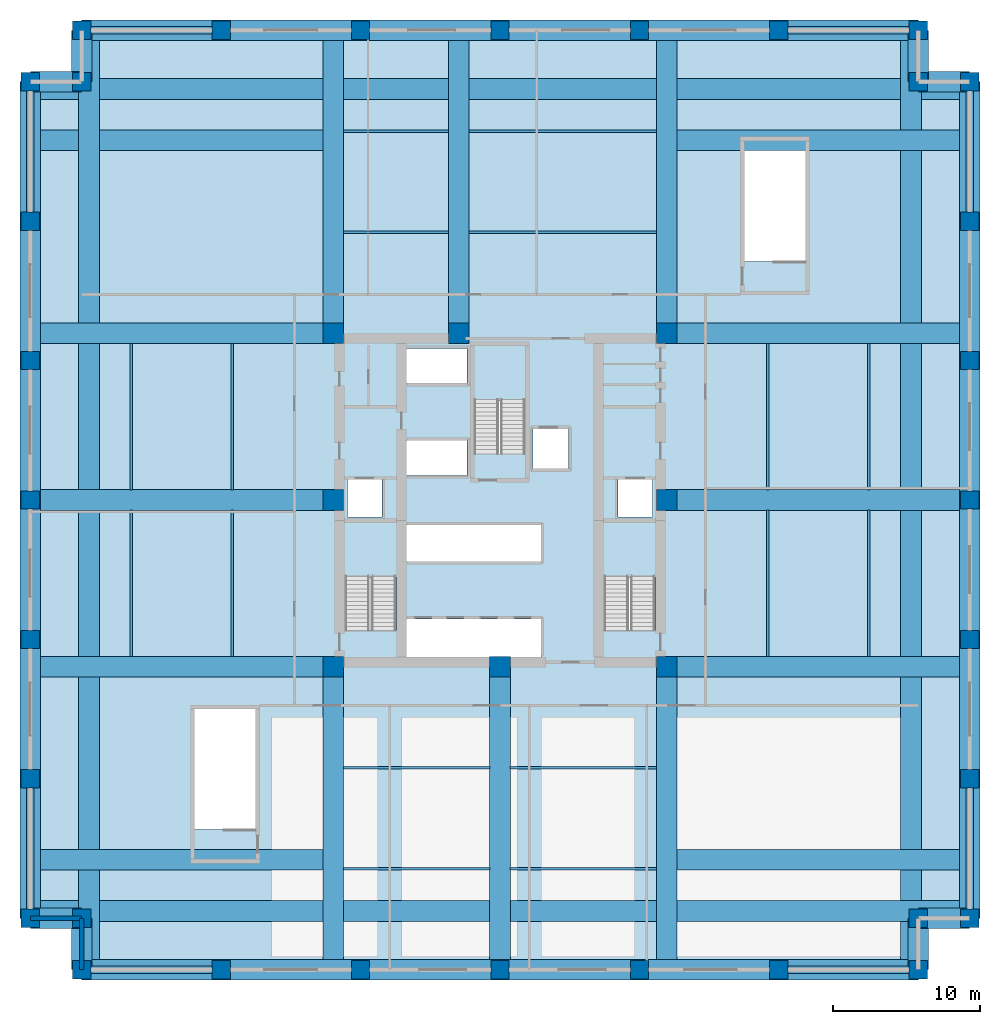
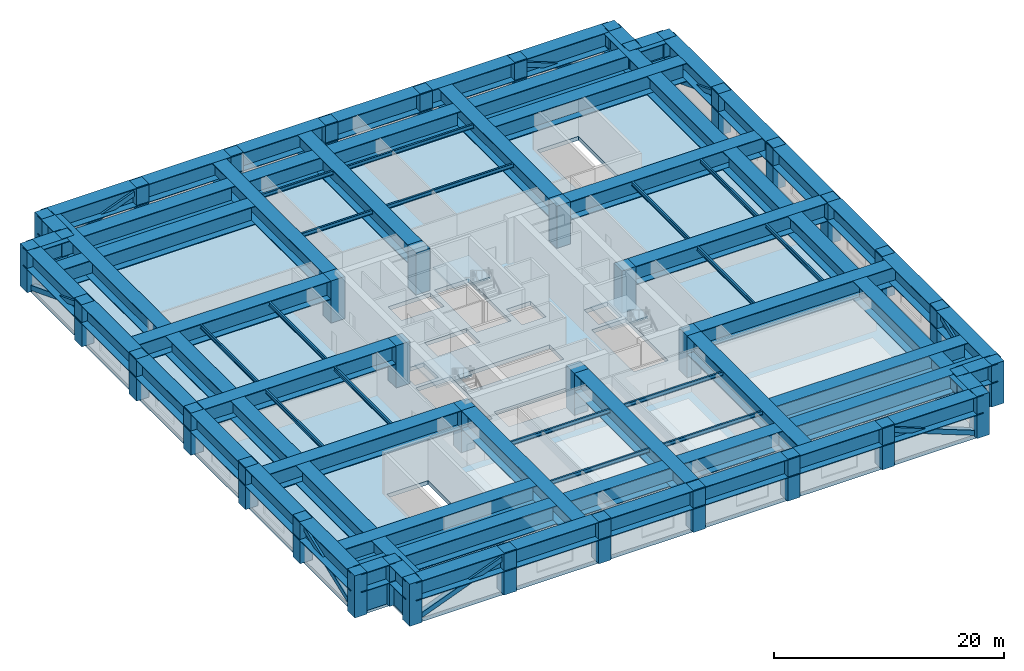
# One storey, part 1 of 8: 76 beams, 40 columns, 8 members, 4 slabs, 2 walls, 3 elements without a shape of their own.
"""IFC4 building model written with IfcOpenShell, lengths in metres."""

from ifc_helpers import new_model, si_unit, direction, frame, frame_2d, origin, origin_2d, place, context, subcontext, project, spatial, polyline, rectangle, hollow_rectangle, i_section, outline, extrude, material, layer, layer_set, material_profile, profile_set, type_object, element, aggregate, save


model = new_model("IFC4")

# Units and contexts
model_context = context("Model", 3, precision=1e-05, world=origin(), true_north=direction((0.0, 1.0)))
body_context = subcontext(model_context, "Body", "Model", "MODEL_VIEW")
ifc_project = project(units=[si_unit("LENGTHUNIT", "METRE"), si_unit("AREAUNIT", "SQUARE_METRE"), si_unit("VOLUMEUNIT", "CUBIC_METRE"), si_unit("PLANEANGLEUNIT", "RADIAN"), si_unit("MASSUNIT", "GRAM", prefix="KILO")], contexts=[model_context])

# Site, building, storey
site_placement = place(None, origin())
site = spatial("IfcSite", under=ifc_project, at=site_placement, CompositionType="ELEMENT")
building_placement = place(site_placement, origin())
building = spatial("IfcBuilding", under=site, at=building_placement, Name="Nhamokura Convention Tower", CompositionType="ELEMENT")
storey_placement = place(building_placement, frame((0.0, 0.0, 29.39990234375)))
storey = spatial("IfcBuildingStorey", under=building, at=storey_placement, Name="L05", CompositionType="ELEMENT", Elevation=29.39990234375)

# Columns
ifc_material_1 = material(Name="Concrete C70/85", Category="concrete")
ifc_material_profile_1 = material_profile(ifc_material_1, rectangle(XDim=1.39990234375, YDim=1.39990234375, at=origin_2d()))
ifc_profile_set_1 = profile_set([ifc_material_profile_1], Name="Concrete C70/85")
column_type_1 = type_object("IfcColumnType", Name="TubeColumn_B_1400", PredefinedType="COLUMN", material=ifc_profile_set_1)
for number, where, z_axis, x_axis, name in (
    (1, (20.64990234375, 20.64990234375, 0.0), (0.0, 0.0, 1.0), (1.0, 0.0, 0.0), "L05 Core Column CC-SW"),
    (2, (32.0, 20.64990234375, 0.0), (0.0, 0.0, 1.0), (1.0, 0.0, 0.0), "L05 Core Column CC-S"),
    (3, (43.35009765625, 20.64990234375, 0.0), (0.0, 0.0, 1.0), (1.0, 0.0, 0.0), "L05 Core Column CC-SE"),
    (4, (43.35009765625, 32.0, 0.0), (0.0, 0.0, 1.0), (1.0, 0.0, 0.0), "L05 Core Column CC-E"),
    (5, (43.35009765625, 43.35009765625, 0.0), (0.0, 0.0, 1.0), (1.0, 0.0, 0.0), "L05 Core Column CC-NE"),
    (6, (29.199951171875, 43.35009765625, 0.0), (0.0, 0.0, 1.0), (1.0, 0.0, 0.0), "L05 Core Column CC-N"),
    (7, (20.64990234375, 43.35009765625, 0.0), (0.0, 0.0, 1.0), (1.0, 0.0, 0.0), "L05 Core Column CC-NW"),
    (8, (20.64990234375, 32.0, 0.0), (0.0, 0.0, 1.0), (1.0, 0.0, 0.0), "L05 Core Column CC-W"),
):
    element("IfcColumn", number, at=place(storey_placement, frame(where, z_axis=z_axis, x_axis=x_axis)), inside=storey, type_object=column_type_1, Name=name, PredefinedType="COLUMN", context=body_context, shape_type="SweptSolid", body=[
        extrude(rectangle(XDim=1.39990234375, YDim=1.39990234375, at=origin_2d()), origin(), (0.0, 0.0, 1.0), 4.47998046875),
    ])
ifc_material_2 = material(Name="Concrete C70/85", Category="concrete")
ifc_material_profile_2 = material_profile(ifc_material_2, rectangle(XDim=1.25, YDim=1.25, at=origin_2d()))
ifc_profile_set_2 = profile_set([ifc_material_profile_2], Name="Concrete C70/85")
column_type_2 = type_object("IfcColumnType", Name="TubeColumn_P_1250", PredefinedType="COLUMN", material=ifc_profile_set_2)
for number, where, z_axis, x_axis, name in (
    (9, (3.5, 0.0, 0.0), (0.0, 0.0, 1.0), (1.0, 0.0, 0.0), "L05 Perimeter Tube Column SW1"),
    (10, (3.5, 3.5, 0.0), (0.0, 0.0, 1.0), (1.0, 0.0, 0.0), "L05 Perimeter Tube Column SW0"),
    (11, (0.0, 3.5, 0.0), (0.0, 0.0, 1.0), (1.0, 0.0, 0.0), "L05 Perimeter Tube Column SW2"),
    (12, (60.5, 0.0, 0.0), (0.0, 0.0, 1.0), (1.0, 0.0, 0.0), "L05 Perimeter Tube Column SE1"),
    (13, (60.5, 3.5, 0.0), (0.0, 0.0, 1.0), (1.0, 0.0, 0.0), "L05 Perimeter Tube Column SE0"),
    (14, (64.0, 3.5, 0.0), (0.0, 0.0, 1.0), (1.0, 0.0, 0.0), "L05 Perimeter Tube Column SE2"),
    (15, (64.0, 60.5, 0.0), (0.0, 0.0, 1.0), (1.0, 0.0, 0.0), "L05 Perimeter Tube Column NE1"),
    (16, (60.5, 60.5, 0.0), (0.0, 0.0, 1.0), (1.0, 0.0, 0.0), "L05 Perimeter Tube Column NE0"),
    (17, (60.5, 64.0, 0.0), (0.0, 0.0, 1.0), (1.0, 0.0, 0.0), "L05 Perimeter Tube Column NE2"),
    (18, (3.5, 64.0, 0.0), (0.0, 0.0, 1.0), (1.0, 0.0, 0.0), "L05 Perimeter Tube Column NW1"),
    (19, (3.5, 60.5, 0.0), (0.0, 0.0, 1.0), (1.0, 0.0, 0.0), "L05 Perimeter Tube Column NW0"),
    (20, (0.0, 60.5, 0.0), (0.0, 0.0, 1.0), (1.0, 0.0, 0.0), "L05 Perimeter Tube Column NW2"),
    (21, (13.0, 0.0, 0.0), (0.0, 0.0, 1.0), (1.0, 0.0, 0.0), "L05 Perimeter Tube Column S1"),
    (22, (13.0, 64.0, 0.0), (0.0, 0.0, 1.0), (1.0, 0.0, 0.0), "L05 Perimeter Tube Column N1"),
    (23, (0.0, 13.0, 0.0), (0.0, 0.0, 1.0), (1.0, 0.0, 0.0), "L05 Perimeter Tube Column W1"),
    (24, (64.0, 13.0, 0.0), (0.0, 0.0, 1.0), (1.0, 0.0, 0.0), "L05 Perimeter Tube Column E1"),
    (25, (22.5, 0.0, 0.0), (0.0, 0.0, 1.0), (1.0, 0.0, 0.0), "L05 Perimeter Tube Column S2"),
    (26, (22.5, 64.0, 0.0), (0.0, 0.0, 1.0), (1.0, 0.0, 0.0), "L05 Perimeter Tube Column N2"),
    (27, (0.0, 22.5, 0.0), (0.0, 0.0, 1.0), (1.0, 0.0, 0.0), "L05 Perimeter Tube Column W2"),
    (28, (64.0, 22.5, 0.0), (0.0, 0.0, 1.0), (1.0, 0.0, 0.0), "L05 Perimeter Tube Column E2"),
    (29, (32.0, 0.0, 0.0), (0.0, 0.0, 1.0), (1.0, 0.0, 0.0), "L05 Perimeter Tube Column S3"),
    (30, (32.0, 64.0, 0.0), (0.0, 0.0, 1.0), (1.0, 0.0, 0.0), "L05 Perimeter Tube Column N3"),
    (31, (0.0, 32.0, 0.0), (0.0, 0.0, 1.0), (1.0, 0.0, 0.0), "L05 Perimeter Tube Column W3"),
    (32, (64.0, 32.0, 0.0), (0.0, 0.0, 1.0), (1.0, 0.0, 0.0), "L05 Perimeter Tube Column E3"),
    (33, (41.5, 0.0, 0.0), (0.0, 0.0, 1.0), (1.0, 0.0, 0.0), "L05 Perimeter Tube Column S4"),
    (34, (41.5, 64.0, 0.0), (0.0, 0.0, 1.0), (1.0, 0.0, 0.0), "L05 Perimeter Tube Column N4"),
    (35, (0.0, 41.5, 0.0), (0.0, 0.0, 1.0), (1.0, 0.0, 0.0), "L05 Perimeter Tube Column W4"),
    (36, (64.0, 41.5, 0.0), (0.0, 0.0, 1.0), (1.0, 0.0, 0.0), "L05 Perimeter Tube Column E4"),
    (37, (51.0, 0.0, 0.0), (0.0, 0.0, 1.0), (1.0, 0.0, 0.0), "L05 Perimeter Tube Column S5"),
    (38, (51.0, 64.0, 0.0), (0.0, 0.0, 1.0), (1.0, 0.0, 0.0), "L05 Perimeter Tube Column N5"),
    (39, (0.0, 51.0, 0.0), (0.0, 0.0, 1.0), (1.0, 0.0, 0.0), "L05 Perimeter Tube Column W5"),
    (40, (64.0, 51.0, 0.0), (0.0, 0.0, 1.0), (1.0, 0.0, 0.0), "L05 Perimeter Tube Column E5"),
):
    element("IfcColumn", number, at=place(storey_placement, frame(where, z_axis=z_axis, x_axis=x_axis)), inside=storey, type_object=column_type_2, Name=name, PredefinedType="COLUMN", context=body_context, shape_type="SweptSolid", body=[
        extrude(rectangle(XDim=1.25, YDim=1.25, at=origin_2d()), origin(), (0.0, 0.0, 1.0), 4.47998046875),
    ])

# Beams
ifc_material_3 = material(Name="Steel ASTM A992 Gr 50", Category="steel")
ifc_material_profile_3 = material_profile(ifc_material_3, i_section(OverallWidth=0.178955078125, OverallDepth=0.409912109375, WebThickness=0.0087890625, FlangeThickness=0.014404296875, at=origin_2d()))
ifc_profile_set_3 = profile_set([ifc_material_profile_3], Name="Steel ASTM A992 Gr 50")
beam_type_1 = type_object("IfcBeamType", Name="FloorJoist_W410X67", PredefinedType="JOIST", material=ifc_profile_set_3)
for number, where, z_axis, x_axis, name in (
    (41, (21.347900390625, 6.88330078125, 4.275146484375), (1.0, 0.0, 0.0), (0.0, 1.0, 0.0), "L05 Composite Floor Joist S1A"),
    (42, (32.697998046875, 6.88330078125, 4.275146484375), (1.0, 0.0, 0.0), (0.0, 1.0, 0.0), "L05 Composite Floor Joist S1B"),
    (43, (21.347900390625, 13.7666015625, 4.275146484375), (1.0, 0.0, 0.0), (0.0, 1.0, 0.0), "L05 Composite Floor Joist S2A"),
    (44, (32.697998046875, 13.7666015625, 4.275146484375), (1.0, 0.0, 0.0), (0.0, 1.0, 0.0), "L05 Composite Floor Joist S2B"),
):
    element("IfcBeam", number, at=place(storey_placement, frame(where, z_axis=z_axis, x_axis=x_axis)), inside=storey, type_object=beam_type_1, Name=name, PredefinedType="JOIST", context=body_context, shape_type="SweptSolid", body=[
        extrude(i_section(OverallWidth=0.178955078125, OverallDepth=0.409912109375, WebThickness=0.0087890625, FlangeThickness=0.014404296875, at=origin_2d()), origin(), (0.0, 0.0, 1.0), 9.9541015625),
    ])
beam_1_placement = place(storey_placement, frame((21.347900390625, 50.2333984375, 4.275146484375), z_axis=(1.0, 0.0, 0.0), x_axis=(0.0, 1.0, 0.0)))
element("IfcBeam", 45, at=beam_1_placement, inside=storey, type_object=beam_type_1, Name="L05 Composite Floor Joist N1A", PredefinedType="JOIST", context=body_context, shape_type="SweptSolid", body=[
    extrude(i_section(OverallWidth=0.178955078125, OverallDepth=0.409912109375, WebThickness=0.0087890625, FlangeThickness=0.014404296875, at=origin_2d()), origin(), (0.0, 0.0, 1.0), 7.154052734375),
])
beam_2_placement = place(storey_placement, frame((29.89794921875, 50.2333984375, 4.275146484375), z_axis=(1.0, 0.0, 0.0), x_axis=(0.0, 1.0, 0.0)))
element("IfcBeam", 46, at=beam_2_placement, inside=storey, type_object=beam_type_1, Name="L05 Composite Floor Joist N1B", PredefinedType="JOIST", context=body_context, shape_type="SweptSolid", body=[
    extrude(i_section(OverallWidth=0.178955078125, OverallDepth=0.409912109375, WebThickness=0.0087890625, FlangeThickness=0.014404296875, at=origin_2d()), origin(), (0.0, 0.0, 1.0), 12.754150390625),
])
beam_3_placement = place(storey_placement, frame((21.347900390625, 57.11669921875, 4.275146484375), z_axis=(1.0, 0.0, 0.0), x_axis=(0.0, 1.0, 0.0)))
element("IfcBeam", 47, at=beam_3_placement, inside=storey, type_object=beam_type_1, Name="L05 Composite Floor Joist N2A", PredefinedType="JOIST", context=body_context, shape_type="SweptSolid", body=[
    extrude(i_section(OverallWidth=0.178955078125, OverallDepth=0.409912109375, WebThickness=0.0087890625, FlangeThickness=0.014404296875, at=origin_2d()), origin(), (0.0, 0.0, 1.0), 7.154052734375),
])
beam_4_placement = place(storey_placement, frame((29.89794921875, 57.11669921875, 4.275146484375), z_axis=(1.0, 0.0, 0.0), x_axis=(0.0, 1.0, 0.0)))
element("IfcBeam", 48, at=beam_4_placement, inside=storey, type_object=beam_type_1, Name="L05 Composite Floor Joist N2B", PredefinedType="JOIST", context=body_context, shape_type="SweptSolid", body=[
    extrude(i_section(OverallWidth=0.178955078125, OverallDepth=0.409912109375, WebThickness=0.0087890625, FlangeThickness=0.014404296875, at=origin_2d()), origin(), (0.0, 0.0, 1.0), 12.754150390625),
])
for number, where, z_axis, x_axis, name in (
    (49, (6.88330078125, 21.347900390625, 4.275146484375), (0.0, 1.0, 0.0), (-1.0, 0.0, 0.0), "L05 Composite Floor Joist W1A"),
    (50, (6.88330078125, 32.697998046875, 4.275146484375), (0.0, 1.0, 0.0), (-1.0, 0.0, 0.0), "L05 Composite Floor Joist W1B"),
    (51, (13.7666015625, 21.347900390625, 4.275146484375), (0.0, 1.0, 0.0), (-1.0, 0.0, 0.0), "L05 Composite Floor Joist W2A"),
    (52, (13.7666015625, 32.697998046875, 4.275146484375), (0.0, 1.0, 0.0), (-1.0, 0.0, 0.0), "L05 Composite Floor Joist W2B"),
    (53, (50.2333984375, 21.347900390625, 4.275146484375), (0.0, 1.0, 0.0), (-1.0, 0.0, 0.0), "L05 Composite Floor Joist E1A"),
    (54, (50.2333984375, 32.697998046875, 4.275146484375), (0.0, 1.0, 0.0), (-1.0, 0.0, 0.0), "L05 Composite Floor Joist E1B"),
    (55, (57.11669921875, 21.347900390625, 4.275146484375), (0.0, 1.0, 0.0), (-1.0, 0.0, 0.0), "L05 Composite Floor Joist E2A"),
    (56, (57.11669921875, 32.697998046875, 4.275146484375), (0.0, 1.0, 0.0), (-1.0, 0.0, 0.0), "L05 Composite Floor Joist E2B"),
):
    element("IfcBeam", number, at=place(storey_placement, frame(where, z_axis=z_axis, x_axis=x_axis)), inside=storey, type_object=beam_type_1, Name=name, PredefinedType="JOIST", context=body_context, shape_type="SweptSolid", body=[
        extrude(i_section(OverallWidth=0.178955078125, OverallDepth=0.409912109375, WebThickness=0.0087890625, FlangeThickness=0.014404296875, at=origin_2d()), origin(), (0.0, 0.0, 1.0), 9.9541015625),
    ])
ifc_material_4 = material(Name="Steel ASTM A572 Gr 50", Category="steel")
ifc_material_profile_4 = material_profile(ifc_material_4, i_section(OverallWidth=1.39990234375, OverallDepth=1.9599609375, WebThickness=0.054931640625, FlangeThickness=0.06005859375, at=origin_2d()))
ifc_profile_set_4 = profile_set([ifc_material_profile_4], Name="Steel ASTM A572 Gr 50")
beam_type_2 = type_object("IfcBeamType", Name="TransferGirder_2000", PredefinedType="USERDEFINED", material=ifc_profile_set_4)
for number, where, z_axis, x_axis, name in (
    (57, (3.5, 0.0, 3.5), (1.0, 0.0, 0.0), (0.0, 1.0, 0.0), "L05 Perimeter Transfer Spandrel SOUTH 1"),
    (58, (13.0, 0.0, 3.5), (1.0, 0.0, 0.0), (0.0, 1.0, 0.0), "L05 Perimeter Transfer Spandrel SOUTH 2"),
    (59, (22.5, 0.0, 3.5), (1.0, 0.0, 0.0), (0.0, 1.0, 0.0), "L05 Perimeter Transfer Spandrel SOUTH 3"),
    (60, (32.0, 0.0, 3.5), (1.0, 0.0, 0.0), (0.0, 1.0, 0.0), "L05 Perimeter Transfer Spandrel SOUTH 4"),
    (61, (41.5, 0.0, 3.5), (1.0, 0.0, 0.0), (0.0, 1.0, 0.0), "L05 Perimeter Transfer Spandrel SOUTH 5"),
    (62, (51.0, 0.0, 3.5), (1.0, 0.0, 0.0), (0.0, 1.0, 0.0), "L05 Perimeter Transfer Spandrel SOUTH 6"),
    (63, (3.5, 64.0, 3.5), (1.0, 0.0, 0.0), (0.0, 1.0, 0.0), "L05 Perimeter Transfer Spandrel NORTH 1"),
    (64, (13.0, 64.0, 3.5), (1.0, 0.0, 0.0), (0.0, 1.0, 0.0), "L05 Perimeter Transfer Spandrel NORTH 2"),
    (65, (22.5, 64.0, 3.5), (1.0, 0.0, 0.0), (0.0, 1.0, 0.0), "L05 Perimeter Transfer Spandrel NORTH 3"),
    (66, (32.0, 64.0, 3.5), (1.0, 0.0, 0.0), (0.0, 1.0, 0.0), "L05 Perimeter Transfer Spandrel NORTH 4"),
    (67, (41.5, 64.0, 3.5), (1.0, 0.0, 0.0), (0.0, 1.0, 0.0), "L05 Perimeter Transfer Spandrel NORTH 5"),
    (68, (51.0, 64.0, 3.5), (1.0, 0.0, 0.0), (0.0, 1.0, 0.0), "L05 Perimeter Transfer Spandrel NORTH 6"),
    (69, (0.0, 3.5, 3.5), (0.0, 1.0, 0.0), (-1.0, 0.0, 0.0), "L05 Perimeter Transfer Spandrel WEST 1"),
    (70, (0.0, 13.0, 3.5), (0.0, 1.0, 0.0), (-1.0, 0.0, 0.0), "L05 Perimeter Transfer Spandrel WEST 2"),
    (71, (0.0, 22.5, 3.5), (0.0, 1.0, 0.0), (-1.0, 0.0, 0.0), "L05 Perimeter Transfer Spandrel WEST 3"),
    (72, (0.0, 32.0, 3.5), (0.0, 1.0, 0.0), (-1.0, 0.0, 0.0), "L05 Perimeter Transfer Spandrel WEST 4"),
    (73, (0.0, 41.5, 3.5), (0.0, 1.0, 0.0), (-1.0, 0.0, 0.0), "L05 Perimeter Transfer Spandrel WEST 5"),
    (74, (0.0, 51.0, 3.5), (0.0, 1.0, 0.0), (-1.0, 0.0, 0.0), "L05 Perimeter Transfer Spandrel WEST 6"),
    (75, (64.0, 3.5, 3.5), (0.0, 1.0, 0.0), (-1.0, 0.0, 0.0), "L05 Perimeter Transfer Spandrel EAST 1"),
    (76, (64.0, 13.0, 3.5), (0.0, 1.0, 0.0), (-1.0, 0.0, 0.0), "L05 Perimeter Transfer Spandrel EAST 2"),
    (77, (64.0, 22.5, 3.5), (0.0, 1.0, 0.0), (-1.0, 0.0, 0.0), "L05 Perimeter Transfer Spandrel EAST 3"),
    (78, (64.0, 32.0, 3.5), (0.0, 1.0, 0.0), (-1.0, 0.0, 0.0), "L05 Perimeter Transfer Spandrel EAST 4"),
    (79, (64.0, 41.5, 3.5), (0.0, 1.0, 0.0), (-1.0, 0.0, 0.0), "L05 Perimeter Transfer Spandrel EAST 5"),
    (80, (64.0, 51.0, 3.5), (0.0, 1.0, 0.0), (-1.0, 0.0, 0.0), "L05 Perimeter Transfer Spandrel EAST 6"),
):
    element("IfcBeam", number, at=place(storey_placement, frame(where, z_axis=z_axis, x_axis=x_axis)), inside=storey, type_object=beam_type_2, Name=name, ObjectType="TRANSFER_GIRDER", PredefinedType="USERDEFINED", context=body_context, shape_type="SweptSolid", body=[
        extrude(i_section(OverallWidth=1.39990234375, OverallDepth=1.9599609375, WebThickness=0.054931640625, FlangeThickness=0.06005859375, at=origin_2d()), origin(), (0.0, 0.0, 1.0), 9.5),
    ])
for number, where, z_axis, x_axis, name in (
    (81, (3.5, 0.0, 3.5), (0.0, 1.0, 0.0), (-1.0, 0.0, 0.0), "L05 Notch Transfer Spandrel SW1"),
    (82, (3.5, 3.5, 3.5), (-1.0, 0.0, 0.0), (0.0, -1.0, 0.0), "L05 Notch Transfer Spandrel SW2"),
    (83, (60.5, 0.0, 3.5), (0.0, 1.0, 0.0), (-1.0, 0.0, 0.0), "L05 Notch Transfer Spandrel SE1"),
    (84, (60.5, 3.5, 3.5), (1.0, 0.0, 0.0), (0.0, 1.0, 0.0), "L05 Notch Transfer Spandrel SE2"),
    (85, (64.0, 60.5, 3.5), (-1.0, 0.0, 0.0), (0.0, -1.0, 0.0), "L05 Notch Transfer Spandrel NE1"),
    (86, (60.5, 60.5, 3.5), (0.0, 1.0, 0.0), (-1.0, 0.0, 0.0), "L05 Notch Transfer Spandrel NE2"),
    (87, (3.5, 64.0, 3.5), (0.0, -1.0, 0.0), (1.0, 0.0, 0.0), "L05 Notch Transfer Spandrel NW1"),
    (88, (3.5, 60.5, 3.5), (-1.0, 0.0, 0.0), (0.0, -1.0, 0.0), "L05 Notch Transfer Spandrel NW2"),
):
    element("IfcBeam", number, at=place(storey_placement, frame(where, z_axis=z_axis, x_axis=x_axis)), inside=storey, type_object=beam_type_2, Name=name, ObjectType="TRANSFER_GIRDER", PredefinedType="USERDEFINED", context=body_context, shape_type="SweptSolid", body=[
        extrude(i_section(OverallWidth=1.39990234375, OverallDepth=1.9599609375, WebThickness=0.054931640625, FlangeThickness=0.06005859375, at=origin_2d()), origin(), (0.0, 0.0, 1.0), 3.5),
    ])
beam_5_placement = place(storey_placement, frame((0.697998046875, 4.0, 3.5), z_axis=(1.0, 0.0, 0.0), x_axis=(0.0, 1.0, 0.0)))
element("IfcBeam", 89, at=beam_5_placement, inside=storey, type_object=beam_type_2, Name="L05 Upper-Line Transfer Girder TGU-SW", ObjectType="TRANSFER_GIRDER", PredefinedType="USERDEFINED", context=body_context, shape_type="SweptSolid", body=[
    extrude(i_section(OverallWidth=1.39990234375, OverallDepth=1.9599609375, WebThickness=0.054931640625, FlangeThickness=0.06005859375, at=origin_2d()), origin(), (0.0, 0.0, 1.0), 19.25390625),
])
beam_6_placement = place(storey_placement, frame((21.347900390625, 4.0, 3.5), z_axis=(1.0, 0.0, 0.0), x_axis=(0.0, 1.0, 0.0)))
element("IfcBeam", 90, at=beam_6_placement, inside=storey, type_object=beam_type_2, Name="L05 Upper-Line Transfer Girder TGU-SM", ObjectType="TRANSFER_GIRDER", PredefinedType="USERDEFINED", context=body_context, shape_type="SweptSolid", body=[
    extrude(i_section(OverallWidth=1.39990234375, OverallDepth=1.9599609375, WebThickness=0.054931640625, FlangeThickness=0.06005859375, at=origin_2d()), origin(), (0.0, 0.0, 1.0), 21.30419921875),
])
for number, where, z_axis, x_axis, name in (
    (91, (44.048095703125, 4.0, 3.5), (1.0, 0.0, 0.0), (0.0, 1.0, 0.0), "L05 Upper-Line Transfer Girder TGU-SE"),
    (92, (0.697998046875, 60.0, 3.5), (1.0, 0.0, 0.0), (0.0, 1.0, 0.0), "L05 Upper-Line Transfer Girder TGU-NW"),
):
    element("IfcBeam", number, at=place(storey_placement, frame(where, z_axis=z_axis, x_axis=x_axis)), inside=storey, type_object=beam_type_2, Name=name, ObjectType="TRANSFER_GIRDER", PredefinedType="USERDEFINED", context=body_context, shape_type="SweptSolid", body=[
        extrude(i_section(OverallWidth=1.39990234375, OverallDepth=1.9599609375, WebThickness=0.054931640625, FlangeThickness=0.06005859375, at=origin_2d()), origin(), (0.0, 0.0, 1.0), 19.25390625),
    ])
beam_7_placement = place(storey_placement, frame((21.347900390625, 60.0, 3.5), z_axis=(1.0, 0.0, 0.0), x_axis=(0.0, 1.0, 0.0)))
element("IfcBeam", 93, at=beam_7_placement, inside=storey, type_object=beam_type_2, Name="L05 Upper-Line Transfer Girder TGU-NM", ObjectType="TRANSFER_GIRDER", PredefinedType="USERDEFINED", context=body_context, shape_type="SweptSolid", body=[
    extrude(i_section(OverallWidth=1.39990234375, OverallDepth=1.9599609375, WebThickness=0.054931640625, FlangeThickness=0.06005859375, at=origin_2d()), origin(), (0.0, 0.0, 1.0), 21.30419921875),
])
for number, where, z_axis, x_axis, name in (
    (94, (44.048095703125, 60.0, 3.5), (1.0, 0.0, 0.0), (0.0, 1.0, 0.0), "L05 Upper-Line Transfer Girder TGU-NE"),
    (95, (4.0, 0.697998046875, 3.5), (0.0, 1.0, 0.0), (-1.0, 0.0, 0.0), "L05 Upper-Line Transfer Girder TGU-WS"),
):
    element("IfcBeam", number, at=place(storey_placement, frame(where, z_axis=z_axis, x_axis=x_axis)), inside=storey, type_object=beam_type_2, Name=name, ObjectType="TRANSFER_GIRDER", PredefinedType="USERDEFINED", context=body_context, shape_type="SweptSolid", body=[
        extrude(i_section(OverallWidth=1.39990234375, OverallDepth=1.9599609375, WebThickness=0.054931640625, FlangeThickness=0.06005859375, at=origin_2d()), origin(), (0.0, 0.0, 1.0), 19.25390625),
    ])
beam_8_placement = place(storey_placement, frame((4.0, 21.347900390625, 3.5), z_axis=(0.0, 1.0, 0.0), x_axis=(-1.0, 0.0, 0.0)))
element("IfcBeam", 96, at=beam_8_placement, inside=storey, type_object=beam_type_2, Name="L05 Upper-Line Transfer Girder TGU-WM", ObjectType="TRANSFER_GIRDER", PredefinedType="USERDEFINED", context=body_context, shape_type="SweptSolid", body=[
    extrude(i_section(OverallWidth=1.39990234375, OverallDepth=1.9599609375, WebThickness=0.054931640625, FlangeThickness=0.06005859375, at=origin_2d()), origin(), (0.0, 0.0, 1.0), 21.30419921875),
])
for number, where, z_axis, x_axis, name in (
    (97, (4.0, 44.048095703125, 3.5), (0.0, 1.0, 0.0), (-1.0, 0.0, 0.0), "L05 Upper-Line Transfer Girder TGU-WN"),
    (98, (60.0, 0.697998046875, 3.5), (0.0, 1.0, 0.0), (-1.0, 0.0, 0.0), "L05 Upper-Line Transfer Girder TGU-ES"),
):
    element("IfcBeam", number, at=place(storey_placement, frame(where, z_axis=z_axis, x_axis=x_axis)), inside=storey, type_object=beam_type_2, Name=name, ObjectType="TRANSFER_GIRDER", PredefinedType="USERDEFINED", context=body_context, shape_type="SweptSolid", body=[
        extrude(i_section(OverallWidth=1.39990234375, OverallDepth=1.9599609375, WebThickness=0.054931640625, FlangeThickness=0.06005859375, at=origin_2d()), origin(), (0.0, 0.0, 1.0), 19.25390625),
    ])
beam_9_placement = place(storey_placement, frame((60.0, 21.347900390625, 3.5), z_axis=(0.0, 1.0, 0.0), x_axis=(-1.0, 0.0, 0.0)))
element("IfcBeam", 99, at=beam_9_placement, inside=storey, type_object=beam_type_2, Name="L05 Upper-Line Transfer Girder TGU-EM", ObjectType="TRANSFER_GIRDER", PredefinedType="USERDEFINED", context=body_context, shape_type="SweptSolid", body=[
    extrude(i_section(OverallWidth=1.39990234375, OverallDepth=1.9599609375, WebThickness=0.054931640625, FlangeThickness=0.06005859375, at=origin_2d()), origin(), (0.0, 0.0, 1.0), 21.30419921875),
])
for number, where, z_axis, x_axis, name in (
    (100, (60.0, 44.048095703125, 3.5), (0.0, 1.0, 0.0), (-1.0, 0.0, 0.0), "L05 Upper-Line Transfer Girder TGU-EN"),
    (101, (0.697998046875, 7.5, 3.5), (1.0, 0.0, 0.0), (0.0, 1.0, 0.0), "L05 Upper-Line Transfer Girder TGN-SW0"),
    (102, (44.048095703125, 7.5, 3.5), (1.0, 0.0, 0.0), (0.0, 1.0, 0.0), "L05 Upper-Line Transfer Girder TGN-SE0"),
    (103, (44.048095703125, 56.5, 3.5), (1.0, 0.0, 0.0), (0.0, 1.0, 0.0), "L05 Upper-Line Transfer Girder TGN-NE0"),
    (104, (0.697998046875, 56.5, 3.5), (1.0, 0.0, 0.0), (0.0, 1.0, 0.0), "L05 Upper-Line Transfer Girder TGN-NW0"),
):
    element("IfcBeam", number, at=place(storey_placement, frame(where, z_axis=z_axis, x_axis=x_axis)), inside=storey, type_object=beam_type_2, Name=name, ObjectType="TRANSFER_GIRDER", PredefinedType="USERDEFINED", context=body_context, shape_type="SweptSolid", body=[
        extrude(i_section(OverallWidth=1.39990234375, OverallDepth=1.9599609375, WebThickness=0.054931640625, FlangeThickness=0.06005859375, at=origin_2d()), origin(), (0.0, 0.0, 1.0), 19.25390625),
    ])
for number, where, z_axis, x_axis, name in (
    (105, (20.64990234375, 0.0, 3.5), (0.0, 1.0, 0.0), (-1.0, 0.0, 0.0), "L05 Primary Floor Girder PG-S1"),
    (106, (32.0, 0.0, 3.5), (0.0, 1.0, 0.0), (-1.0, 0.0, 0.0), "L05 Primary Floor Girder PG-S2"),
    (107, (43.35009765625, 0.0, 3.5), (0.0, 1.0, 0.0), (-1.0, 0.0, 0.0), "L05 Primary Floor Girder PG-S3"),
    (108, (20.64990234375, 43.35009765625, 3.5), (0.0, 1.0, 0.0), (-1.0, 0.0, 0.0), "L05 Primary Floor Girder PG-N1"),
    (109, (29.199951171875, 43.35009765625, 3.5), (0.0, 1.0, 0.0), (-1.0, 0.0, 0.0), "L05 Primary Floor Girder PG-N2"),
    (110, (43.35009765625, 43.35009765625, 3.5), (0.0, 1.0, 0.0), (-1.0, 0.0, 0.0), "L05 Primary Floor Girder PG-N3"),
    (111, (0.0, 20.64990234375, 3.5), (1.0, 0.0, 0.0), (0.0, 1.0, 0.0), "L05 Primary Floor Girder PG-W1"),
    (112, (0.0, 32.0, 3.5), (1.0, 0.0, 0.0), (0.0, 1.0, 0.0), "L05 Primary Floor Girder PG-W2"),
    (113, (0.0, 43.35009765625, 3.5), (1.0, 0.0, 0.0), (0.0, 1.0, 0.0), "L05 Primary Floor Girder PG-W3"),
    (114, (43.35009765625, 20.64990234375, 3.5), (1.0, 0.0, 0.0), (0.0, 1.0, 0.0), "L05 Primary Floor Girder PG-E1"),
    (115, (43.35009765625, 32.0, 3.5), (1.0, 0.0, 0.0), (0.0, 1.0, 0.0), "L05 Primary Floor Girder PG-E2"),
    (116, (43.35009765625, 43.35009765625, 3.5), (1.0, 0.0, 0.0), (0.0, 1.0, 0.0), "L05 Primary Floor Girder PG-E3"),
):
    element("IfcBeam", number, at=place(storey_placement, frame(where, z_axis=z_axis, x_axis=x_axis)), inside=storey, type_object=beam_type_2, Name=name, ObjectType="TRANSFER_GIRDER", PredefinedType="USERDEFINED", context=body_context, shape_type="SweptSolid", body=[
        extrude(i_section(OverallWidth=1.39990234375, OverallDepth=1.9599609375, WebThickness=0.054931640625, FlangeThickness=0.06005859375, at=origin_2d()), origin(), (0.0, 0.0, 1.0), 20.64990234375),
    ])

# Members
ifc_material_5 = material(Name="Steel ASTM A572 Gr 50", Category="steel")
ifc_material_profile_5 = material_profile(ifc_material_5, hollow_rectangle(XDim=0.5, YDim=0.5, WallThickness=0.02490234375, at=origin_2d()))
ifc_profile_set_5 = profile_set([ifc_material_profile_5], Name="Steel ASTM A572 Gr 50")
member_type = type_object("IfcMemberType", Name="TubeBrace_HSS500", PredefinedType="BRACE", material=ifc_profile_set_5)
for number, where, z_axis, x_axis, name in (
    (117, (3.5, 0.0, 0.150146484375), (0.932485056434, 0.0, 0.361208554061), (0.0, 1.0, 0.0), "L05 Perimeter Tube Brace SOUTH Bay 0"),
    (118, (60.5, 0.0, 0.150146484375), (-0.932485056434, 0.0, 0.361208554061), (0.0, -1.0, 0.0), "L05 Perimeter Tube Brace SOUTH Bay 5"),
    (119, (3.5, 64.0, 0.150146484375), (0.932485056434, 0.0, 0.361208554061), (0.0, 1.0, 0.0), "L05 Perimeter Tube Brace NORTH Bay 0"),
    (120, (60.5, 64.0, 0.150146484375), (-0.932485056434, 0.0, 0.361208554061), (0.0, -1.0, 0.0), "L05 Perimeter Tube Brace NORTH Bay 5"),
    (121, (0.0, 3.5, 0.150146484375), (0.0, 0.932485056434, 0.361208554061), (-1.0, 0.0, 0.0), "L05 Perimeter Tube Brace WEST Bay 0"),
    (122, (0.0, 60.5, 0.150146484375), (0.0, -0.932485056434, 0.361208554061), (1.0, 0.0, 0.0), "L05 Perimeter Tube Brace WEST Bay 5"),
    (123, (64.0, 3.5, 0.150146484375), (0.0, 0.932485056434, 0.361208554061), (-1.0, 0.0, 0.0), "L05 Perimeter Tube Brace EAST Bay 0"),
    (124, (64.0, 60.5, 0.150146484375), (0.0, -0.932485056434, 0.361208554061), (1.0, 0.0, 0.0), "L05 Perimeter Tube Brace EAST Bay 5"),
):
    element("IfcMember", number, at=place(storey_placement, frame(where, z_axis=z_axis, x_axis=x_axis)), inside=storey, type_object=member_type, Name=name, PredefinedType="BRACE", context=body_context, shape_type="SweptSolid", body=[
        extrude(hollow_rectangle(XDim=0.5, YDim=0.5, WallThickness=0.02490234375, at=origin_2d()), origin(), (0.0, 0.0, 1.0), 10.187744140625),
    ])

# Stair, slab
ifc_material_6 = material(Name="Concrete C40/50", Category="concrete")
stair_type = type_object("IfcStairType", Name="TowerCoreStair_1650", PredefinedType="HALF_TURN_STAIR", material=ifc_material_6)
stair_1_placement = place(storey_placement, origin())
stair_1 = element("IfcStair", 125, at=stair_1_placement, inside=storey, type_object=stair_type, Name="L05 West Core Smokeproof Stair ST-01", PredefinedType="HALF_TURN_STAIR")
ifc_material_7 = material(Name="Concrete C40/50", Category="concrete")
ifc_layer_1 = layer(ifc_material_7, 0.199951171875)
ifc_layer_set_1 = layer_set([ifc_layer_1], Name="StairLandingSlab_200")
slab_type_1 = type_object("IfcSlabType", Name="StairLandingSlab_200", PredefinedType="LANDING", material=ifc_layer_set_1)
slab_1_placement = place(storey_placement, frame((0.0, 0.0, 2.25)))
slab_1 = element("IfcSlab", 126, at=slab_1_placement, type_object=slab_type_1, Name="ST-01 landing 1", PredefinedType="LANDING", context=body_context, shape_type="SweptSolid", body=[
    extrude(outline(polyline([(24.97998046875, 26.72509765625), (24.97998046875, 30.530029296875), (21.3701171875, 30.530029296875), (21.3701171875, 26.72509765625), (24.97998046875, 26.72509765625)])), origin(), (0.0, 0.0, 1.0), 0.2001953125),
])
aggregate(stair_1, [slab_1])

stair_2_placement = place(storey_placement, origin())
stair_2 = element("IfcStair", 127, at=stair_2_placement, inside=storey, type_object=stair_type, Name="L05 East Core Smokeproof Stair ST-02", PredefinedType="HALF_TURN_STAIR")
slab_2_placement = place(storey_placement, frame((0.0, 0.0, 2.25)))
slab_2 = element("IfcSlab", 128, at=slab_2_placement, type_object=slab_type_1, Name="ST-02 landing 1", PredefinedType="LANDING", context=body_context, shape_type="SweptSolid", body=[
    extrude(outline(polyline([(42.6298828125, 26.72509765625), (42.6298828125, 30.530029296875), (39.02001953125, 30.530029296875), (39.02001953125, 26.72509765625), (42.6298828125, 26.72509765625)])), origin(), (0.0, 0.0, 1.0), 0.2001953125),
])
aggregate(stair_2, [slab_2])

stair_3_placement = place(storey_placement, origin())
stair_3 = element("IfcStair", 129, at=stair_3_placement, inside=storey, type_object=stair_type, Name="L05 North Core Smokeproof Stair ST-03", PredefinedType="HALF_TURN_STAIR")
slab_3_placement = place(storey_placement, frame((0.0, 0.0, 2.25)))
slab_3 = element("IfcSlab", 130, at=slab_3_placement, type_object=slab_type_1, Name="ST-03 landing 1", PredefinedType="LANDING", context=body_context, shape_type="SweptSolid", body=[
    extrude(outline(polyline([(33.780029296875, 38.77490234375), (33.780029296875, 42.580078125), (30.169921875, 42.580078125), (30.169921875, 38.77490234375), (33.780029296875, 38.77490234375)])), origin(), (0.0, 0.0, 1.0), 0.2001953125),
])
aggregate(stair_3, [slab_3])

# Slab
ifc_material_8 = material(Name="Concrete C50/60", Category="concrete")
ifc_layer_2 = layer(ifc_material_8, 0.419921875)
ifc_layer_set_2 = layer_set([ifc_layer_2], Name="TransferDeckSlab_380")
slab_type_2 = type_object("IfcSlabType", Name="TransferDeckSlab_380", PredefinedType="FLOOR", material=ifc_layer_set_2)
slab_4_placement = place(storey_placement, frame((0.0, 0.0, -0.419921875)))
element("IfcSlab", 131, at=slab_4_placement, inside=storey, type_object=slab_type_2, Name="L05 Structural Floor Slab", PredefinedType="FLOOR", context=body_context, shape_type="SweptSolid", body=[
    extrude(outline(polyline([(3.5, 0.0), (60.5, 0.0), (60.5, 3.5), (64.0, 3.5), (64.0, 60.5), (60.5, 60.5), (60.5, 64.0), (3.5, 64.0), (3.5, 60.5), (0.0, 60.5), (0.0, 3.5), (3.5, 3.5), (3.5, 0.0)]), holes=[polyline([(24.89990234375, 23.10009765625), (24.89990234375, 30.449951171875), (21.449951171875, 30.449951171875), (21.449951171875, 23.10009765625), (24.89990234375, 23.10009765625)]), polyline([(42.550048828125, 23.10009765625), (42.550048828125, 30.449951171875), (39.10009765625, 30.449951171875), (39.10009765625, 23.10009765625), (42.550048828125, 23.10009765625)]), polyline([(33.699951171875, 35.14990234375), (33.699951171875, 42.5), (30.25, 42.5), (30.25, 35.14990234375), (33.699951171875, 35.14990234375)]), polyline([(15.35009765625, 9.550048828125), (15.35009765625, 17.75), (11.199951171875, 17.75), (11.199951171875, 9.550048828125), (15.35009765625, 9.550048828125)]), polyline([(52.800048828125, 48.25), (52.800048828125, 56.449951171875), (48.64990234375, 56.449951171875), (48.64990234375, 48.25), (52.800048828125, 48.25)]), polyline([(21.60009765625, 30.85009765625), (23.949951171875, 30.85009765625), (23.949951171875, 33.39990234375), (21.60009765625, 33.39990234375), (21.60009765625, 30.85009765625)]), polyline([(40.050048828125, 30.85009765625), (42.39990234375, 30.85009765625), (42.39990234375, 33.39990234375), (40.050048828125, 33.39990234375), (40.050048828125, 30.85009765625)]), polyline([(34.25, 34.14990234375), (36.64990234375, 34.14990234375), (36.64990234375, 36.85009765625), (34.25, 36.85009765625), (34.25, 34.14990234375)]), polyline([(25.52001953125, 21.320068359375), (34.800048828125, 21.320068359375), (34.800048828125, 23.89990234375), (25.52001953125, 23.89990234375), (25.52001953125, 21.320068359375)]), polyline([(25.52001953125, 27.800048828125), (34.800048828125, 27.800048828125), (34.800048828125, 30.300048828125), (25.52001953125, 30.300048828125), (25.52001953125, 27.800048828125)]), polyline([(25.52001953125, 33.679931640625), (29.75, 33.679931640625), (29.75, 36.050048828125), (25.52001953125, 36.050048828125), (25.52001953125, 33.679931640625)]), polyline([(25.52001953125, 39.949951171875), (29.75, 39.949951171875), (29.75, 42.320068359375), (25.52001953125, 42.320068359375), (25.52001953125, 39.949951171875)])]), origin(), (0.0, 0.0, 1.0), 0.419921875),
])

# Walls
ifc_material_9 = material(Name="Bronze-pigmented precast concrete C45/55", Category="concrete")
ifc_layer_3 = layer(ifc_material_9, 0.320068359375)
ifc_layer_set_3 = layer_set([ifc_layer_3], Name="BronzePrecastSpandrel_320")
wall_type = type_object("IfcWallType", Name="BronzePrecastSpandrel_320", PredefinedType="USERDEFINED", material=ifc_layer_set_3)
for number, where, z_axis, x_axis, name in (
    (132, (3.5, 0.0, 0.0), (0.0, 0.0, 1.0), (0.0, 1.0, 0.0), "L05 Notched Corner Wall SW1"),
    (133, (3.5, 3.5, 0.0), (0.0, 0.0, 1.0), (-1.0, 0.0, 0.0), "L05 Notched Corner Wall SW2"),
):
    element("IfcWall", number, at=place(storey_placement, frame(where, z_axis=z_axis, x_axis=x_axis)), inside=storey, type_object=wall_type, Name=name, ObjectType="SPANDREL_WALL", PredefinedType="USERDEFINED", context=body_context, shape_type="SweptSolid", body=[
        extrude(rectangle(XDim=3.5, YDim=0.320068359375, at=frame_2d((1.75, 0.0))), origin(), (0.0, 0.0, 1.0), 2.47998046875),
    ])

save(model, "model.ifc")
